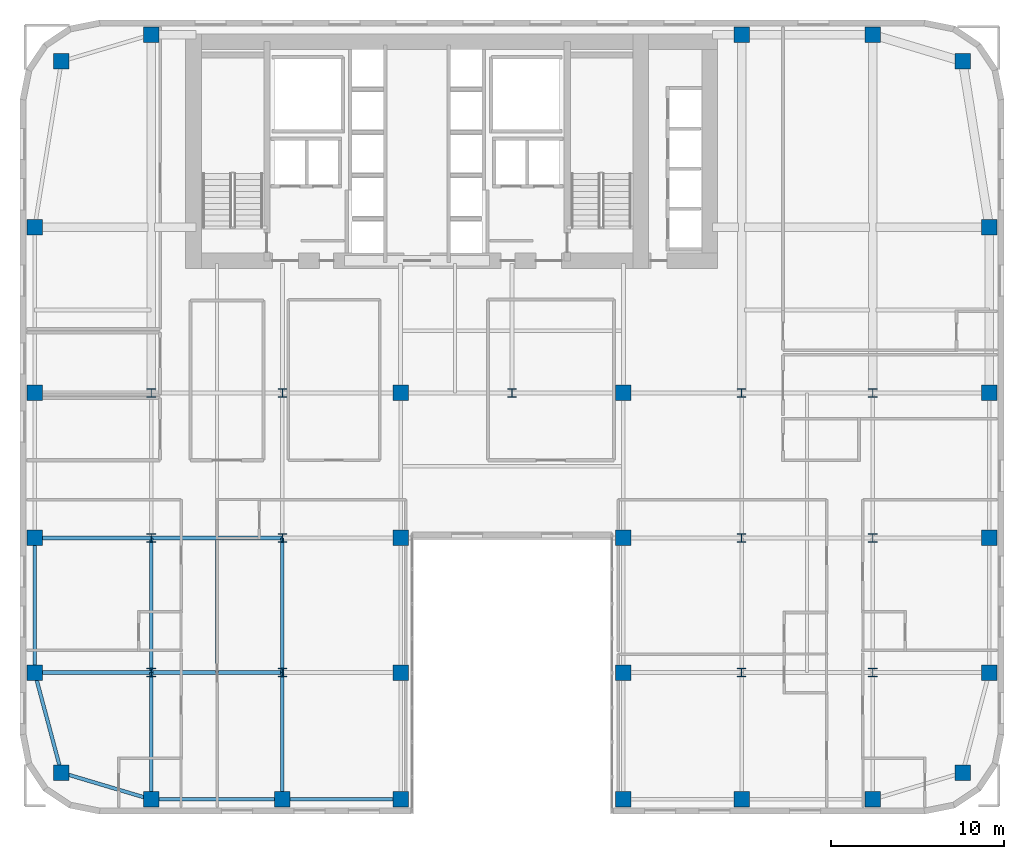
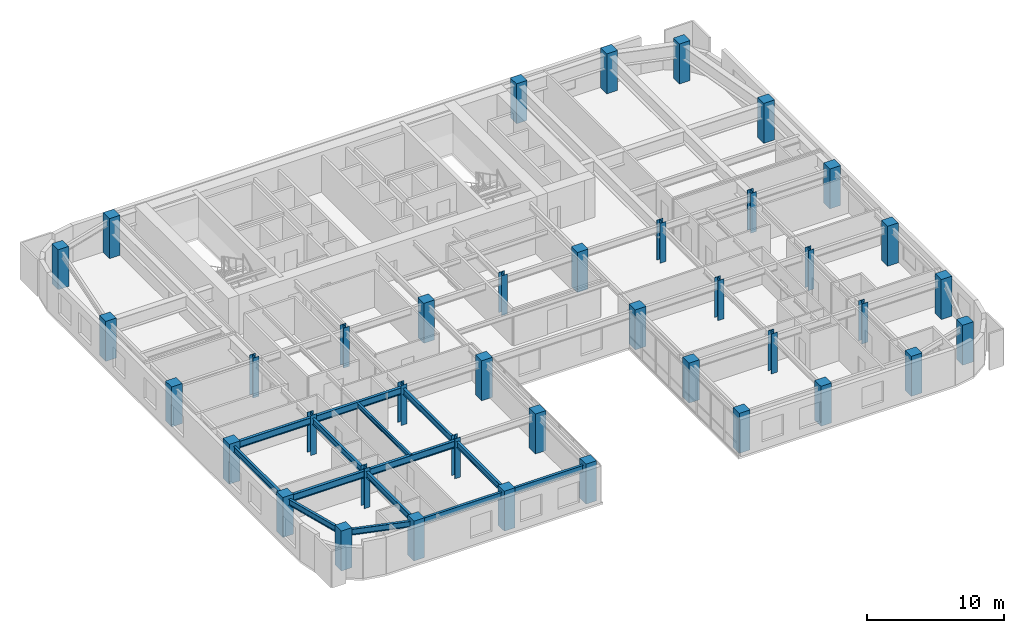
# One storey, part 1 of 16: 40 columns, 14 beams.
"""IFC4 building model written with IfcOpenShell, lengths in metres."""

from ifc_helpers import new_model, si_unit, direction, frame, origin, origin_2d, place, context, subcontext, project, spatial, rectangle, i_section, extrude, source, transform, mapped, material, material_profile, profile_set, type_object, type_shapes, element, save


model = new_model("IFC4")

# Units and contexts
model_context = context("Model", 3, precision=1e-05, world=origin(), true_north=direction((0.0, 1.0)))
body_context = subcontext(model_context, "Body", "Model", "MODEL_VIEW")
ifc_project = project(units=[si_unit("LENGTHUNIT", "METRE"), si_unit("AREAUNIT", "SQUARE_METRE"), si_unit("VOLUMEUNIT", "CUBIC_METRE"), si_unit("PLANEANGLEUNIT", "RADIAN"), si_unit("MASSUNIT", "GRAM", prefix="KILO")], contexts=[model_context])

# Site, building, storey
site_placement = place(None, origin())
site = spatial("IfcSite", under=ifc_project, at=site_placement, CompositionType="ELEMENT")
building_placement = place(site_placement, origin())
building = spatial("IfcBuilding", under=site, at=building_placement, Name="Tolvann Quenvar Hotel", CompositionType="ELEMENT")
storey_placement = place(building_placement, frame((0.0, 0.0, 92.35009765625)))
storey = spatial("IfcBuildingStorey", under=building, at=storey_placement, Name="L23", CompositionType="ELEMENT", Elevation=92.35009765625)

# Columns
ifc_material_1 = material(Name="Concrete S65 (65 MPa)", Category="concrete")
ifc_material_profile_1 = material_profile(ifc_material_1, rectangle(XDim=0.89990234375, YDim=0.89990234375, at=origin_2d()), Name="RC900x900")
ifc_profile_set_1 = profile_set([ifc_material_profile_1], Name="Concrete S65 (65 MPa)")
column_type_1 = type_object("IfcColumnType", Name="COL_RC900", PredefinedType="COLUMN", material=ifc_profile_set_1)
shared_shape_1 = source(origin(), body_context, "Body", "SweptSolid", [
    extrude(rectangle(XDim=0.89990234375, YDim=0.89990234375, at=origin_2d()), origin(), (0.0, 0.0, 1.0), 3.5498046875),
])
type_shapes(column_type_1, [shared_shape_1])
for number, where, z_axis, x_axis, name in (
    (1, (2.39990234375, 2.39990234375, 0.0), (0.0, 0.0, 1.0), (1.0, 0.0, 0.0), "Column B2 (L23)"),
    (2, (0.85009765625, 8.199951171875, 0.0), (0.0, 0.0, 1.0), (1.0, 0.0, 0.0), "Column B3 (L23)"),
    (3, (0.85009765625, 16.0, 0.0), (0.0, 0.0, 1.0), (1.0, 0.0, 0.0), "Column B4 (L23)"),
    (4, (0.85009765625, 24.39990234375, 0.0), (0.0, 0.0, 1.0), (1.0, 0.0, 0.0), "Column B5 (L23)"),
    (5, (7.60009765625, 0.85009765625, 0.0), (0.0, 0.0, 1.0), (1.0, 0.0, 0.0), "Column C2 (L23)"),
    (6, (15.199951171875, 0.85009765625, 0.0), (0.0, 0.0, 1.0), (1.0, 0.0, 0.0), "Column D2 (L23)"),
    (7, (22.050048828125, 0.85009765625, 0.0), (0.0, 0.0, 1.0), (1.0, 0.0, 0.0), "Column E2 (L23)"),
    (8, (22.050048828125, 8.199951171875, 0.0), (0.0, 0.0, 1.0), (1.0, 0.0, 0.0), "Column E3 (L23)"),
    (9, (22.050048828125, 16.0, 0.0), (0.0, 0.0, 1.0), (1.0, 0.0, 0.0), "Column E4 (L23)"),
    (10, (22.050048828125, 24.39990234375, 0.0), (0.0, 0.0, 1.0), (1.0, 0.0, 0.0), "Column E5 (L23)"),
    (11, (34.949951171875, 0.85009765625, 0.0), (0.0, 0.0, 1.0), (1.0, 0.0, 0.0), "Column F2 (L23)"),
    (12, (34.949951171875, 8.199951171875, 0.0), (0.0, 0.0, 1.0), (1.0, 0.0, 0.0), "Column F3 (L23)"),
    (13, (34.949951171875, 16.0, 0.0), (0.0, 0.0, 1.0), (1.0, 0.0, 0.0), "Column F4 (L23)"),
    (14, (34.949951171875, 24.39990234375, 0.0), (0.0, 0.0, 1.0), (1.0, 0.0, 0.0), "Column F5 (L23)"),
    (15, (41.800048828125, 0.85009765625, 0.0), (0.0, 0.0, 1.0), (1.0, 0.0, 0.0), "Column H2 (L23)"),
    (16, (49.39990234375, 0.85009765625, 0.0), (0.0, 0.0, 1.0), (1.0, 0.0, 0.0), "Column I2 (L23)"),
    (17, (54.60009765625, 2.39990234375, 0.0), (0.0, 0.0, 1.0), (1.0, 0.0, 0.0), "Column J2 (L23)"),
    (18, (56.14990234375, 8.199951171875, 0.0), (0.0, 0.0, 1.0), (1.0, 0.0, 0.0), "Column J3 (L23)"),
    (19, (56.14990234375, 16.0, 0.0), (0.0, 0.0, 1.0), (1.0, 0.0, 0.0), "Column J4 (L23)"),
    (20, (56.14990234375, 24.39990234375, 0.0), (0.0, 0.0, 1.0), (1.0, 0.0, 0.0), "Column J5 (L23)"),
    (21, (2.39990234375, 43.60009765625, 0.0), (0.0, 0.0, 1.0), (1.0, 0.0, 0.0), "Column BN (L23)"),
    (22, (7.60009765625, 45.14990234375, 0.0), (0.0, 0.0, 1.0), (1.0, 0.0, 0.0), "Column CN (L23)"),
    (23, (0.85009765625, 34.0, 0.0), (0.0, 0.0, 1.0), (1.0, 0.0, 0.0), "Column BD6 (L23)"),
    (24, (41.800048828125, 45.14990234375, 0.0), (0.0, 0.0, 1.0), (1.0, 0.0, 0.0), "Column HN (L23)"),
    (25, (49.39990234375, 45.14990234375, 0.0), (0.0, 0.0, 1.0), (1.0, 0.0, 0.0), "Column IN (L23)"),
    (26, (54.60009765625, 43.60009765625, 0.0), (0.0, 0.0, 1.0), (1.0, 0.0, 0.0), "Column JN (L23)"),
    (27, (56.14990234375, 34.0, 0.0), (0.0, 0.0, 1.0), (1.0, 0.0, 0.0), "Column JD6 (L23)"),
):
    element("IfcColumn", number, at=place(storey_placement, frame(where, z_axis=z_axis, x_axis=x_axis)), inside=storey, type_object=column_type_1, Name=name, PredefinedType="COLUMN", context=body_context, shape_type="MappedRepresentation", body=[
        mapped(shared_shape_1, transform((0.0, 0.0, 0.0), x_axis=(1.0, 0.0, 0.0), y_axis=(0.0, 1.0, 0.0), z_axis=(0.0, 0.0, 1.0), scale=1.0)),
    ])
ifc_material_2 = material(Name="Steel Grade 350", Category="steel")
ifc_material_profile_2 = material_profile(ifc_material_2, i_section(OverallWidth=0.5, OverallDepth=0.5, WebThickness=0.02197265625, FlangeThickness=0.033935546875, at=origin_2d()), Name="500WC340")
ifc_profile_set_2 = profile_set([ifc_material_profile_2], Name="Steel Grade 350")
column_type_2 = type_object("IfcColumnType", Name="COL_500WC340", PredefinedType="COLUMN", material=ifc_profile_set_2)
shared_shape_2 = source(origin(), body_context, "Body", "SweptSolid", [
    extrude(i_section(OverallWidth=0.5, OverallDepth=0.5, WebThickness=0.02197265625, FlangeThickness=0.033935546875, at=origin_2d()), origin(), (0.0, 0.0, 1.0), 3.5498046875),
])
type_shapes(column_type_2, [shared_shape_2])
for number, where, z_axis, x_axis, name in (
    (28, (7.60009765625, 8.199951171875, 0.0), (0.0, 0.0, 1.0), (1.0, 0.0, 0.0), "Column C3 (L23)"),
    (29, (7.60009765625, 16.0, 0.0), (0.0, 0.0, 1.0), (1.0, 0.0, 0.0), "Column C4 (L23)"),
    (30, (7.60009765625, 24.39990234375, 0.0), (0.0, 0.0, 1.0), (1.0, 0.0, 0.0), "Column C5 (L23)"),
    (31, (15.199951171875, 8.199951171875, 0.0), (0.0, 0.0, 1.0), (1.0, 0.0, 0.0), "Column D3 (L23)"),
    (32, (15.199951171875, 16.0, 0.0), (0.0, 0.0, 1.0), (1.0, 0.0, 0.0), "Column D4 (L23)"),
    (33, (15.199951171875, 24.39990234375, 0.0), (0.0, 0.0, 1.0), (1.0, 0.0, 0.0), "Column D5 (L23)"),
    (34, (41.800048828125, 8.199951171875, 0.0), (0.0, 0.0, 1.0), (1.0, 0.0, 0.0), "Column H3 (L23)"),
    (35, (41.800048828125, 16.0, 0.0), (0.0, 0.0, 1.0), (1.0, 0.0, 0.0), "Column H4 (L23)"),
    (36, (41.800048828125, 24.39990234375, 0.0), (0.0, 0.0, 1.0), (1.0, 0.0, 0.0), "Column H5 (L23)"),
    (37, (49.39990234375, 8.199951171875, 0.0), (0.0, 0.0, 1.0), (1.0, 0.0, 0.0), "Column I3 (L23)"),
    (38, (49.39990234375, 16.0, 0.0), (0.0, 0.0, 1.0), (1.0, 0.0, 0.0), "Column I4 (L23)"),
    (39, (49.39990234375, 24.39990234375, 0.0), (0.0, 0.0, 1.0), (1.0, 0.0, 0.0), "Column I5 (L23)"),
    (40, (28.5, 24.39990234375, 0.0), (0.0, 0.0, 1.0), (1.0, 0.0, 0.0), "Column M5 (L23)"),
):
    element("IfcColumn", number, at=place(storey_placement, frame(where, z_axis=z_axis, x_axis=x_axis)), inside=storey, type_object=column_type_2, Name=name, PredefinedType="COLUMN", context=body_context, shape_type="MappedRepresentation", body=[
        mapped(shared_shape_2, transform((0.0, 0.0, 0.0), x_axis=(1.0, 0.0, 0.0), y_axis=(0.0, 1.0, 0.0), z_axis=(0.0, 0.0, 1.0), scale=1.0)),
    ])

# Beams
ifc_material_profile_3 = material_profile(ifc_material_2, i_section(OverallWidth=0.208984375, OverallDepth=0.528076171875, WebThickness=0.009521484375, FlangeThickness=0.01318359375, FilletRadius=0.013916015625, at=origin_2d()), Name="530UB82")
ifc_profile_set_3 = profile_set([ifc_material_profile_3], Name="Steel Grade 350")
beam_type_1 = type_object("IfcBeamType", Name="BM_SPAND_530UB82", PredefinedType="SPANDREL", material=ifc_profile_set_3)
shared_shape_3 = source(origin(), body_context, "Body", "SweptSolid", [
    extrude(i_section(OverallWidth=0.208984375, OverallDepth=0.528076171875, WebThickness=0.009521484375, FlangeThickness=0.01318359375, FilletRadius=0.013916015625, at=origin_2d()), origin(), (0.0, 0.0, 1.0), 5.42626953125),
])
beam_1_placement = place(storey_placement, frame((2.39990234375, 2.39990234375, 2.98583984375), z_axis=(0.958344815522, -0.285613750654, 0.0), x_axis=(0.285613750654, 0.958344815522, 0.0)))
element("IfcBeam", 41, at=beam_1_placement, inside=storey, type_object=beam_type_1, Name="BM-L23-EW-2-B2-C2", PredefinedType="SPANDREL", context=body_context, shape_type="MappedRepresentation", body=[
    mapped(shared_shape_3, transform((0.0, 0.0, 0.0), x_axis=(1.0, 0.0, 0.0), y_axis=(0.0, 1.0, 0.0), z_axis=(0.0, 0.0, 1.0), scale=1.0)),
])
shared_shape_4 = source(origin(), body_context, "Body", "SweptSolid", [
    extrude(i_section(OverallWidth=0.208984375, OverallDepth=0.528076171875, WebThickness=0.009521484375, FlangeThickness=0.01318359375, FilletRadius=0.013916015625, at=origin_2d()), origin(), (0.0, 0.0, 1.0), 7.599853515625),
])
beam_2_placement = place(storey_placement, frame((7.60009765625, 0.85009765625, 2.98583984375), z_axis=(1.0, 0.0, 0.0), x_axis=(0.0, 1.0, 0.0)))
element("IfcBeam", 42, at=beam_2_placement, inside=storey, type_object=beam_type_1, Name="BM-L23-EW-2-C2-D2", PredefinedType="SPANDREL", context=body_context, shape_type="MappedRepresentation", body=[
    mapped(shared_shape_4, transform((0.0, 0.0, 0.0), x_axis=(1.0, 0.0, 0.0), y_axis=(0.0, 1.0, 0.0), z_axis=(0.0, 0.0, 1.0), scale=1.0)),
])
shared_shape_5 = source(origin(), body_context, "Body", "SweptSolid", [
    extrude(i_section(OverallWidth=0.208984375, OverallDepth=0.528076171875, WebThickness=0.009521484375, FlangeThickness=0.01318359375, FilletRadius=0.013916015625, at=origin_2d()), origin(), (0.0, 0.0, 1.0), 6.85009765625),
])
beam_3_placement = place(storey_placement, frame((15.199951171875, 0.85009765625, 2.98583984375), z_axis=(1.0, 0.0, 0.0), x_axis=(0.0, 1.0, 0.0)))
element("IfcBeam", 43, at=beam_3_placement, inside=storey, type_object=beam_type_1, Name="BM-L23-EW-2-D2-E2", PredefinedType="SPANDREL", context=body_context, shape_type="MappedRepresentation", body=[
    mapped(shared_shape_5, transform((0.0, 0.0, 0.0), x_axis=(1.0, 0.0, 0.0), y_axis=(0.0, 1.0, 0.0), z_axis=(0.0, 0.0, 1.0), scale=1.0)),
])
ifc_material_profile_4 = material_profile(ifc_material_2, i_section(OverallWidth=0.22900390625, OverallDepth=0.612060546875, WebThickness=0.011962890625, FlangeThickness=0.01953125, FilletRadius=0.013916015625, at=origin_2d()), Name="610UB125")
ifc_profile_set_4 = profile_set([ifc_material_profile_4], Name="Steel Grade 350")
beam_type_2 = type_object("IfcBeamType", Name="BM_GIRD_610UB125", PredefinedType="BEAM", material=ifc_profile_set_4)
shared_shape_6 = source(origin(), body_context, "Body", "SweptSolid", [
    extrude(i_section(OverallWidth=0.22900390625, OverallDepth=0.612060546875, WebThickness=0.011962890625, FlangeThickness=0.01953125, FilletRadius=0.013916015625, at=origin_2d()), origin(), (0.0, 0.0, 1.0), 6.75),
])
for number, where, z_axis, x_axis, name in (
    (44, (0.85009765625, 8.199951171875, 2.94384765625), (1.0, 0.0, 0.0), (0.0, 1.0, 0.0), "BM-L23-EW-3-B3-C3"),
    (45, (0.85009765625, 16.0, 2.94384765625), (1.0, 0.0, 0.0), (0.0, 1.0, 0.0), "BM-L23-EW-4-B4-C4"),
):
    element("IfcBeam", number, at=place(storey_placement, frame(where, z_axis=z_axis, x_axis=x_axis)), inside=storey, type_object=beam_type_2, Name=name, PredefinedType="BEAM", context=body_context, shape_type="MappedRepresentation", body=[
        mapped(shared_shape_6, transform((0.0, 0.0, 0.0), x_axis=(1.0, 0.0, 0.0), y_axis=(0.0, 1.0, 0.0), z_axis=(0.0, 0.0, 1.0), scale=1.0)),
    ])
shared_shape_7 = source(origin(), body_context, "Body", "SweptSolid", [
    extrude(i_section(OverallWidth=0.22900390625, OverallDepth=0.612060546875, WebThickness=0.011962890625, FlangeThickness=0.01953125, FilletRadius=0.013916015625, at=origin_2d()), origin(), (0.0, 0.0, 1.0), 7.599853515625),
])
type_shapes(beam_type_2, [shared_shape_6, shared_shape_7])
for number, where, z_axis, x_axis, name in (
    (46, (7.60009765625, 8.199951171875, 2.94384765625), (1.0, 0.0, 0.0), (0.0, 1.0, 0.0), "BM-L23-EW-3-C3-D3"),
    (47, (7.60009765625, 16.0, 2.94384765625), (1.0, 0.0, 0.0), (0.0, 1.0, 0.0), "BM-L23-EW-4-C4-D4"),
):
    element("IfcBeam", number, at=place(storey_placement, frame(where, z_axis=z_axis, x_axis=x_axis)), inside=storey, type_object=beam_type_2, Name=name, PredefinedType="BEAM", context=body_context, shape_type="MappedRepresentation", body=[
        mapped(shared_shape_7, transform((0.0, 0.0, 0.0), x_axis=(1.0, 0.0, 0.0), y_axis=(0.0, 1.0, 0.0), z_axis=(0.0, 0.0, 1.0), scale=1.0)),
    ])
shared_shape_8 = source(origin(), body_context, "Body", "SweptSolid", [
    extrude(i_section(OverallWidth=0.208984375, OverallDepth=0.528076171875, WebThickness=0.009521484375, FlangeThickness=0.01318359375, FilletRadius=0.013916015625, at=origin_2d()), origin(), (0.0, 0.0, 1.0), 6.00341796875),
])
beam_4_placement = place(storey_placement, frame((2.39990234375, 2.39990234375, 2.98583984375), z_axis=(-0.258148586649, 0.966105225745, 0.0), x_axis=(-0.966105225745, -0.258148586649, 0.0)))
element("IfcBeam", 48, at=beam_4_placement, inside=storey, type_object=beam_type_1, Name="BM-L23-NS-B2-B3", PredefinedType="SPANDREL", context=body_context, shape_type="MappedRepresentation", body=[
    mapped(shared_shape_8, transform((0.0, 0.0, 0.0), x_axis=(1.0, 0.0, 0.0), y_axis=(0.0, 1.0, 0.0), z_axis=(0.0, 0.0, 1.0), scale=1.0)),
])
shared_shape_9 = source(origin(), body_context, "Body", "SweptSolid", [
    extrude(i_section(OverallWidth=0.208984375, OverallDepth=0.528076171875, WebThickness=0.009521484375, FlangeThickness=0.01318359375, FilletRadius=0.013916015625, at=origin_2d()), origin(), (0.0, 0.0, 1.0), 7.800048828125),
])
type_shapes(beam_type_1, [shared_shape_3, shared_shape_4, shared_shape_5, shared_shape_8, shared_shape_9])
beam_5_placement = place(storey_placement, frame((0.85009765625, 8.199951171875, 2.98583984375), z_axis=(0.0, 1.0, 0.0), x_axis=(-1.0, 0.0, 0.0)))
element("IfcBeam", 49, at=beam_5_placement, inside=storey, type_object=beam_type_1, Name="BM-L23-NS-B3-B4", PredefinedType="SPANDREL", context=body_context, shape_type="MappedRepresentation", body=[
    mapped(shared_shape_9, transform((0.0, 0.0, 0.0), x_axis=(1.0, 0.0, 0.0), y_axis=(0.0, 1.0, 0.0), z_axis=(0.0, 0.0, 1.0), scale=1.0)),
])
ifc_material_profile_5 = material_profile(ifc_material_2, i_section(OverallWidth=0.208984375, OverallDepth=0.532958984375, WebThickness=0.01025390625, FlangeThickness=0.015625, FilletRadius=0.013916015625, at=origin_2d()), Name="530UB92")
ifc_profile_set_5 = profile_set([ifc_material_profile_5], Name="Steel Grade 350")
beam_type_3 = type_object("IfcBeamType", Name="BM_GIRD_530UB92", PredefinedType="BEAM", material=ifc_profile_set_5)
shared_shape_10 = source(origin(), body_context, "Body", "SweptSolid", [
    extrude(i_section(OverallWidth=0.208984375, OverallDepth=0.532958984375, WebThickness=0.01025390625, FlangeThickness=0.015625, FilletRadius=0.013916015625, at=origin_2d()), origin(), (0.0, 0.0, 1.0), 7.349853515625),
])
for number, where, z_axis, x_axis, name in (
    (50, (7.60009765625, 0.85009765625, 2.9833984375), (0.0, 1.0, 0.0), (-1.0, 0.0, 0.0), "BM-L23-NS-C2-C3"),
    (51, (15.199951171875, 0.85009765625, 2.9833984375), (0.0, 1.0, 0.0), (-1.0, 0.0, 0.0), "BM-L23-NS-D2-D3"),
):
    element("IfcBeam", number, at=place(storey_placement, frame(where, z_axis=z_axis, x_axis=x_axis)), inside=storey, type_object=beam_type_3, Name=name, PredefinedType="BEAM", context=body_context, shape_type="MappedRepresentation", body=[
        mapped(shared_shape_10, transform((0.0, 0.0, 0.0), x_axis=(1.0, 0.0, 0.0), y_axis=(0.0, 1.0, 0.0), z_axis=(0.0, 0.0, 1.0), scale=1.0)),
    ])
shared_shape_11 = source(origin(), body_context, "Body", "SweptSolid", [
    extrude(i_section(OverallWidth=0.208984375, OverallDepth=0.532958984375, WebThickness=0.01025390625, FlangeThickness=0.015625, FilletRadius=0.013916015625, at=origin_2d()), origin(), (0.0, 0.0, 1.0), 7.800048828125),
])
type_shapes(beam_type_3, [shared_shape_10, shared_shape_11])
for number, where, z_axis, x_axis, name in (
    (52, (7.60009765625, 8.199951171875, 2.9833984375), (0.0, 1.0, 0.0), (-1.0, 0.0, 0.0), "BM-L23-NS-C3-C4"),
    (53, (15.199951171875, 8.199951171875, 2.9833984375), (0.0, 1.0, 0.0), (-1.0, 0.0, 0.0), "BM-L23-NS-D3-D4"),
):
    element("IfcBeam", number, at=place(storey_placement, frame(where, z_axis=z_axis, x_axis=x_axis)), inside=storey, type_object=beam_type_3, Name=name, PredefinedType="BEAM", context=body_context, shape_type="MappedRepresentation", body=[
        mapped(shared_shape_11, transform((0.0, 0.0, 0.0), x_axis=(1.0, 0.0, 0.0), y_axis=(0.0, 1.0, 0.0), z_axis=(0.0, 0.0, 1.0), scale=1.0)),
    ])
ifc_material_profile_6 = material_profile(ifc_material_2, i_section(OverallWidth=0.177978515625, OverallDepth=0.406005859375, WebThickness=0.0078125, FlangeThickness=0.0126953125, FilletRadius=0.011474609375, at=origin_2d()), Name="410UB60")
ifc_profile_set_6 = profile_set([ifc_material_profile_6], Name="Steel Grade 350")
beam_type_4 = type_object("IfcBeamType", Name="BM_JOIST_410UB60", PredefinedType="JOIST", material=ifc_profile_set_6)
shared_shape_12 = source(origin(), body_context, "Body", "SweptSolid", [
    extrude(i_section(OverallWidth=0.177978515625, OverallDepth=0.406005859375, WebThickness=0.0078125, FlangeThickness=0.0126953125, FilletRadius=0.011474609375, at=origin_2d()), origin(), (0.0, 0.0, 1.0), 7.691650390625),
])
type_shapes(beam_type_4, [shared_shape_12])
beam_6_placement = place(storey_placement, frame((11.39990234375, 8.199951171875, 3.046875), z_axis=(0.0, 1.0, 0.0), x_axis=(-1.0, 0.0, 0.0)))
element("IfcBeam", 54, at=beam_6_placement, inside=storey, type_object=beam_type_4, Name="BJ-L23-114-82", PredefinedType="JOIST", context=body_context, shape_type="MappedRepresentation", body=[
    mapped(shared_shape_12, transform((0.0, 0.0, 0.0), x_axis=(1.0, 0.0, 0.0), y_axis=(0.0, 1.0, 0.0), z_axis=(0.0, 0.0, 1.0), scale=1.0)),
])

save(model, "model.ifc")
